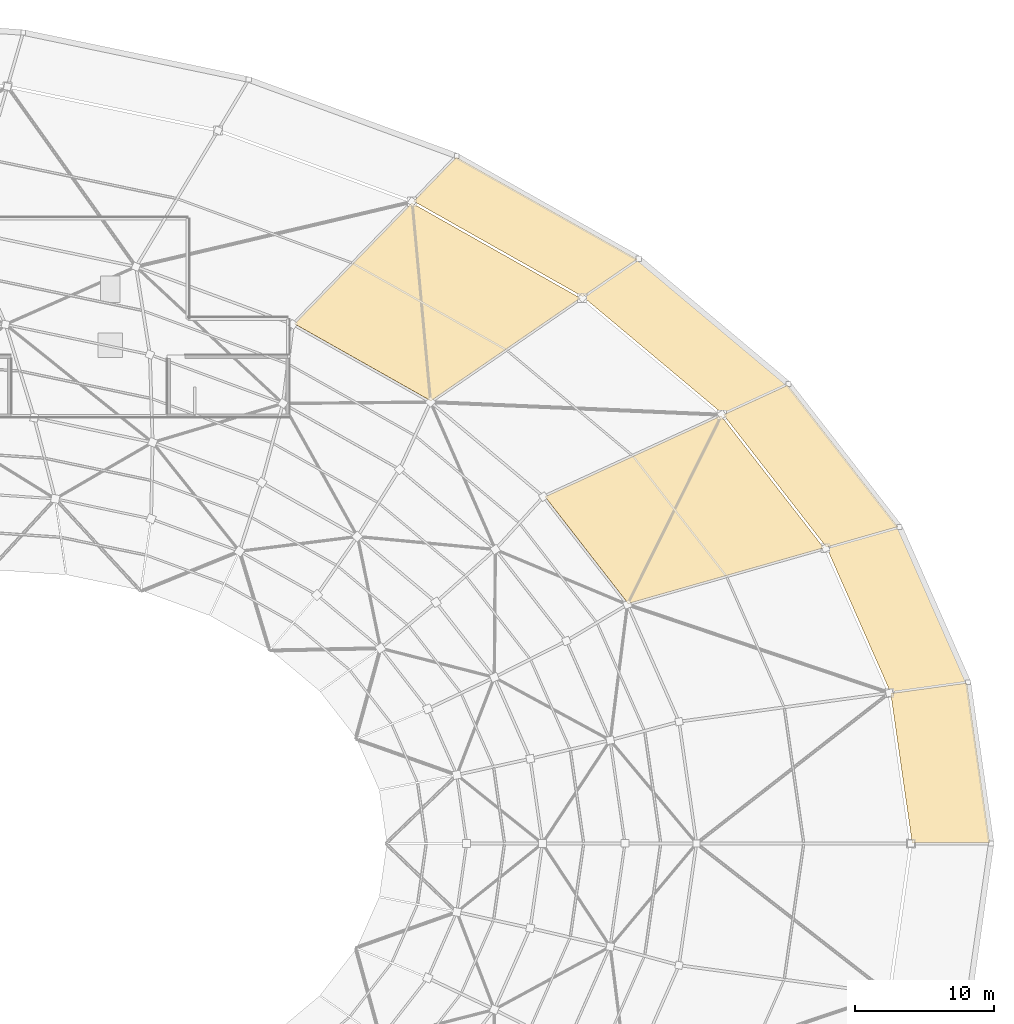
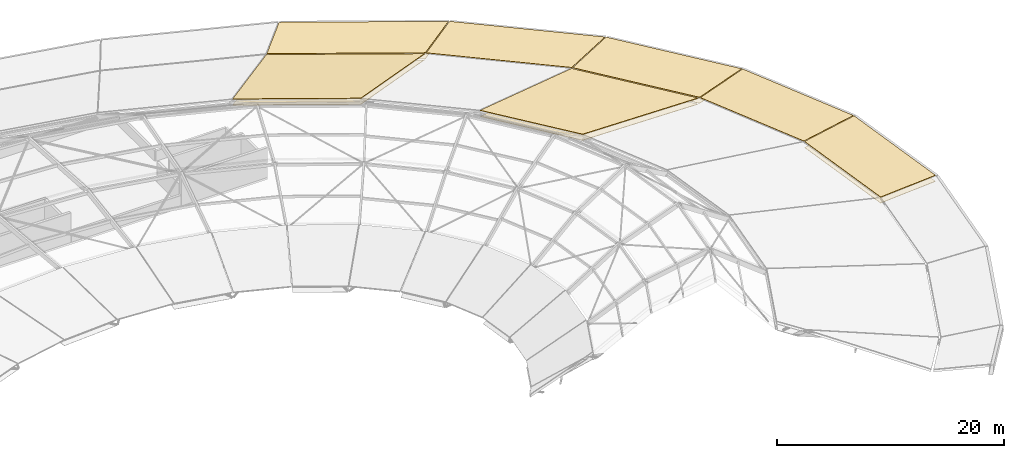
# One storey, part 30 of 30: 12 coverings.
"""IFC4 building model written with IfcOpenShell, lengths in metres."""

import ifcopenshell
import ifcopenshell.guid

model = None  # the IFC model being written
_history = None  # IfcOwnerHistory: only IFC2X3 demands one
_inside = {}  # id of a spatial element -> (the spatial element, [elements in it])
_under = {}  # id of a project, library or spatial element -> (it, [spatial elements below it])
_declared = {}  # id of a project -> (the project, [libraries it declares])
_typed = {}  # id of a type object -> (the type object, [elements of that type])
_made_of = {}  # id of a material, layer set ... -> (it, [elements and type objects made of it])


def new_model(schema):
    """Start an empty IFC model of exactly this schema.

    Asked for "IFC4X3", IfcOpenShell would pick the latest addendum, in which some entities
    have other attributes; the version numbers below select the first issue.
    IFC2X3 requires an IfcOwnerHistory on every rooted entity: one is made here for all.
    """
    global model, _history
    if schema == "IFC4X3":
        model = ifcopenshell.file(schema_version=(4, 3, 0, 0))
    else:
        model = ifcopenshell.file(schema=schema)
    _inside.clear()
    _under.clear()
    _declared.clear()
    _typed.clear()
    _made_of.clear()
    _history = None
    if model.schema == "IFC2X3":
        org = make("IfcOrganization", Name="unknown")
        user = make(
            "IfcPersonAndOrganization",
            ThePerson=make("IfcPerson", FamilyName="unknown"),
            TheOrganization=org,
        )
        app = make(
            "IfcApplication",
            ApplicationDeveloper=org,
            Version="unknown",
            ApplicationFullName="unknown",
            ApplicationIdentifier="unknown",
        )
        _history = make(
            "IfcOwnerHistory",
            OwningUser=user,
            OwningApplication=app,
            ChangeAction="ADDED",
            CreationDate=0,
        )
    return model


def make(cls, **values):
    """One entity of the class cls with the attributes given. An attribute that is None is left unset."""
    return model.create_entity(
        cls, **{name: value for name, value in values.items() if value is not None}
    )


def rooted(cls, **values):
    """An entity with a GlobalId (a new one), such as an element, a storey or a relation."""
    return make(cls, GlobalId=ifcopenshell.guid.new(), OwnerHistory=_history, **values)


def si_unit(unit_type, name, prefix=None):
    """IfcSIUnit, for example si_unit("LENGTHUNIT", "METRE", prefix="MILLI")."""
    return make("IfcSIUnit", UnitType=unit_type, Prefix=prefix, Name=name)


def assignment(units):
    """IfcUnitAssignment: the units of a project."""
    return None if units is None else make("IfcUnitAssignment", Units=units)


def point(xyz):
    """IfcCartesianPoint."""
    return None if xyz is None else make("IfcCartesianPoint", Coordinates=xyz)


def direction(xyz):
    """IfcDirection."""
    return None if xyz is None else make("IfcDirection", DirectionRatios=xyz)


def frame(location, z_axis=None, x_axis=None):
    """IfcAxis2Placement3D, a coordinate frame: its origin and axes. An axis left out is left unset."""
    return make(
        "IfcAxis2Placement3D",
        Location=point(location),
        Axis=direction(z_axis),
        RefDirection=direction(x_axis),
    )


def origin():
    """The frame at (0, 0, 0) with its axes left unset."""
    return frame((0.0, 0.0, 0.0))


def place(relative_to, where):
    """IfcLocalPlacement: puts the frame where relative to a parent placement (None: the world)."""
    return make(
        "IfcLocalPlacement", PlacementRelTo=relative_to, RelativePlacement=where
    )


def context(
    kind, dimensions, precision=None, world=None, true_north=None, identifier=None
):
    """IfcGeometricRepresentationContext, for example the 3D "Model" context."""
    return make(
        "IfcGeometricRepresentationContext",
        ContextIdentifier=identifier,
        ContextType=kind,
        CoordinateSpaceDimension=dimensions,
        Precision=precision,
        WorldCoordinateSystem=world,
        TrueNorth=true_north,
    )


def subcontext(parent, identifier, kind, view, scale=None):
    """IfcGeometricRepresentationSubContext, for example "Body" below "Model"."""
    return make(
        "IfcGeometricRepresentationSubContext",
        ContextIdentifier=identifier,
        ContextType=kind,
        ParentContext=parent,
        TargetScale=scale,
        TargetView=view,
    )


def project(units=None, contexts=None):
    """IfcProject with its units and contexts."""
    return rooted(
        "IfcProject",
        Name="project",
        RepresentationContexts=contexts,
        UnitsInContext=assignment(units),
    )


def spatial(cls, under=None, at=None, **own):
    """A site, building, storey or space (cls), placed at a placement, below another one or the project."""
    s = rooted(cls, ObjectPlacement=at, **own)
    if under is not None:
        _under.setdefault(under.id(), (under, []))[1].append(s)
    return s


def polyline(points):
    """IfcPolyline through the points."""
    return make("IfcPolyline", Points=[point(p) for p in points])


def outline(outer, holes=None, kind="AREA"):
    """IfcArbitraryClosedProfileDef: a profile drawn as a closed curve; with holes, ...WithVoids."""
    if holes is None:
        return make("IfcArbitraryClosedProfileDef", ProfileType=kind, OuterCurve=outer)
    return make(
        "IfcArbitraryProfileDefWithVoids",
        ProfileType=kind,
        OuterCurve=outer,
        InnerCurves=holes,
    )


def extrude(swept, where, along, depth):
    """IfcExtrudedAreaSolid: the profile swept, set in the frame where, extruded along a direction by depth."""
    return make(
        "IfcExtrudedAreaSolid",
        SweptArea=swept,
        Position=where,
        ExtrudedDirection=direction(along),
        Depth=depth,
    )


def shape(context_of_items, identifier, shape_type, items):
    """IfcShapeRepresentation: the items that make up one representation, for example the "Body"."""
    return make(
        "IfcShapeRepresentation",
        ContextOfItems=context_of_items,
        RepresentationIdentifier=identifier,
        RepresentationType=shape_type,
        Items=items,
    )


def material(Name=None, Category=None):
    """IfcMaterial."""
    return make("IfcMaterial", Name=Name, Category=Category)


def layer(
    of_material, thickness, ventilated=None, Name=None, Category=None, Priority=None
):
    """IfcMaterialLayer: one layer of a wall or slab, of a material (None: an air gap)."""
    return make(
        "IfcMaterialLayer",
        Material=of_material,
        LayerThickness=thickness,
        IsVentilated=ventilated,
        Name=Name,
        Category=Category,
        Priority=Priority,
    )


def layer_set(layers, Name=None):
    """IfcMaterialLayerSet."""
    return make("IfcMaterialLayerSet", MaterialLayers=layers, LayerSetName=Name)


def made_of(thing, what):
    """Note that an element or type object is made of a material, layer set ...; save() writes the relation."""
    if what is not None:
        _made_of.setdefault(what.id(), (what, []))[1].append(thing)
    return thing


def type_object(cls, material=None, **own):
    """A type object (cls), such as IfcWallType, which elements share."""
    return made_of(rooted(cls, **own), material)


def element(
    cls,
    number,
    at=None,
    inside=None,
    cuts=None,
    type_object=None,
    material=None,
    context=None,
    identifier="Body",
    shape_type=None,
    held_by="IfcProductDefinitionShape",
    body=None,
    shapes=None,
    **own,
):
    """One element of the class cls, such as IfcWall. Its Tag is "e" and its number.

    at: its placement. inside: the storey or other place that contains it. cuts: it is an
    opening in that element (IfcRelVoidsElement). A single representation is given by context,
    identifier, shape_type and body (its items); several are given by shapes. held_by: the class
    of the entity that holds the representations. save() writes the other relations.
    """
    e = rooted(cls, Tag="e%d" % number, ObjectPlacement=at, **own)
    if body is not None:
        shapes = [shape(context, identifier, shape_type, body)]
    if shapes is not None:
        e.Representation = make(held_by, Representations=shapes)
    if inside is not None:
        _inside.setdefault(inside.id(), (inside, []))[1].append(e)
    if cuts is not None:
        rooted(
            "IfcRelVoidsElement", RelatingBuildingElement=cuts, RelatedOpeningElement=e
        )
    if type_object is not None:
        _typed.setdefault(type_object.id(), (type_object, []))[1].append(e)
    return made_of(e, material)


def aggregate(whole, parts):
    """IfcRelAggregates: a whole, such as a stair, and the parts it consists of."""
    return rooted("IfcRelAggregates", RelatingObject=whole, RelatedObjects=parts)


def save(model, path):
    """Write the relations noted so far, then the file.

    IfcRelAggregates (storeys below a building ...), IfcRelContainedInSpatialStructure (elements
    in a storey), IfcRelDefinesByType, IfcRelAssociatesMaterial and IfcRelDeclares: one each for
    every whole, place, type object, material and project.
    """
    for whole, parts in _under.values():
        aggregate(whole, parts)
    for where, things in _inside.values():
        rooted(
            "IfcRelContainedInSpatialStructure",
            RelatedElements=things,
            RelatingStructure=where,
        )
    for kind, things in _typed.values():
        rooted("IfcRelDefinesByType", RelatedObjects=things, RelatingType=kind)
    for what, things in _made_of.values():
        rooted("IfcRelAssociatesMaterial", RelatedObjects=things, RelatingMaterial=what)
    for by, libraries in _declared.values():
        rooted("IfcRelDeclares", RelatingContext=by, RelatedDefinitions=libraries)
    model.write(path)


model = new_model("IFC4")

# Units and contexts
model_context = context("Model", 3, precision=1e-05, world=origin(), true_north=direction((0.0, 1.0)))
body_context = subcontext(model_context, "Body", "Model", "MODEL_VIEW")
ifc_project = project(units=[si_unit("LENGTHUNIT", "METRE"), si_unit("AREAUNIT", "SQUARE_METRE"), si_unit("VOLUMEUNIT", "CUBIC_METRE"), si_unit("PLANEANGLEUNIT", "RADIAN"), si_unit("MASSUNIT", "GRAM", prefix="KILO")], contexts=[model_context])

# Site, building, storey
site_placement = place(None, origin())
site = spatial("IfcSite", under=ifc_project, at=site_placement, CompositionType="ELEMENT")
building_placement = place(site_placement, origin())
building = spatial("IfcBuilding", under=site, at=building_placement, Name="Namkhue Oval Health Centre", CompositionType="ELEMENT")
storey_placement = place(building_placement, frame((0.0, 0.0, 26.39990234375)))
storey = spatial("IfcBuildingStorey", under=building, at=storey_placement, Name="RF", CompositionType="ELEMENT", Elevation=26.39990234375)

# Coverings
ifc_material_1 = material(Name="Slatted FSC timber acoustic soffit lining", Category="wood")
ifc_layer_1 = layer(ifc_material_1, 0.0400390625)
ifc_layer_set_1 = layer_set([ifc_layer_1], Name="Slatted FSC timber acoustic soffit lining")
covering_type_1 = type_object("IfcCoveringType", Name="SLATTED TIMBER SOFFIT CEILING 40", PredefinedType="CEILING", material=ifc_layer_set_1)
covering_1_placement = place(storey_placement, frame((172.703369140625, 59.44189453125, 0.493896484375), z_axis=(-0.069282472484, -0.00992574886, 0.997547702376), x_axis=(-0.141815844053, 0.98989305805, 7.777e-08)))
element("IfcCovering", 1, at=covering_1_placement, inside=storey, type_object=covering_type_1, Name="Gridshell Canopy Slatted Timber Soffit K0-1", PredefinedType="CEILING", context=body_context, shape_type="SweptSolid", body=[
    extrude(outline(polyline([(0.0, 0.0), (11.610017545639138, 2.220446049250313e-16), (11.645225684002654, 5.535831029326302), (0.7911357209959445, 5.535806068070812), (0.0, 0.0)])), origin(), (0.0, 0.0, -1.0), 0.0400390625),
])
covering_2_placement = place(storey_placement, frame((166.102294921875, 82.140625, 0.4931640625), z_axis=(-0.06135071917, -0.047698148045, 0.996975915421), x_axis=(-0.613788661906, 0.789470378491, -1.01142e-07)))
element("IfcCovering", 2, at=covering_2_placement, inside=storey, type_object=covering_type_1, Name="Gridshell Canopy Slatted Timber Soffit K0-3", PredefinedType="CEILING", context=body_context, shape_type="SweptSolid", body=[
    extrude(outline(polyline([(0.0, 0.0), (12.904530024973468, -8.881784197001252e-16), (14.065271945650283, 4.966917437964637), (1.9975871816261366, 4.966949939526581), (0.0, 0.0)])), origin(), (0.0, 0.0, -1.0), 0.0400390625),
])
covering_3_placement = place(storey_placement, frame((147.37109375, 101.36865234375, 0.491943359375), z_axis=(-0.044082287911, -0.078130329397, 0.995968073545), x_axis=(-0.870939486541, 0.491390283566, -5.22588e-07)))
element("IfcCovering", 3, at=covering_3_placement, inside=storey, type_object=covering_type_1, Name="Gridshell Canopy Slatted Timber Soffit K0-5", PredefinedType="CEILING", context=body_context, shape_type="SweptSolid", body=[
    extrude(outline(polyline([(0.0, 0.0), (14.92248530113261, 8.881784197001252e-16), (16.044337018252133, 4.278090915361626), (2.0835298365099213, 4.278259172458242), (0.0, 0.0)])), origin(), (0.0, 0.0, -1.0), 0.0400390625),
])
covering_4_placement = place(storey_placement, frame((160.783447265625, 80.625732421875, 0.122314453125), z_axis=(0.195064944908, 0.151653801848, 0.968994732521), x_axis=(-0.613781870865, 0.789475658268, 3.52719e-07)))
element("IfcCovering", 4, at=covering_4_placement, inside=storey, type_object=covering_type_1, Name="Gridshell Canopy Slatted Timber Soffit K1-3", PredefinedType="CEILING", context=body_context, shape_type="SweptSolid", body=[
    extrude(outline(polyline([(0.0, 0.0), (12.037942746398443, 1.7763568394002505e-15), (15.214233021555838, 13.985517807089472), (5.4665765880411366, 13.985548906937982), (0.0, 0.0)])), origin(), (0.0, 0.0, -1.0), 0.0400390625),
])
covering_5_placement = place(storey_placement, frame((143.301513671875, 98.5703125, 0.12548828125), z_axis=(0.138902518035, 0.246184750293, 0.95921799358), x_axis=(-0.870933695301, 0.491400547811, -4.56453e-07)))
element("IfcCovering", 5, at=covering_5_placement, inside=storey, type_object=covering_type_1, Name="Gridshell Canopy Slatted Timber Soffit K1-5", PredefinedType="CEILING", context=body_context, shape_type="SweptSolid", body=[
    extrude(outline(polyline([(0.0, 0.0), (13.921561245105195, 0.0), (17.00337112040259, 12.202422015107608), (5.723855332199695, 12.202381320271192), (0.0, 0.0)])), origin(), (0.0, 0.0, -1.0), 0.0400390625),
])
ifc_material_2 = material(Name="Standing-seam aluminium-zinc insulated roofing", Category="aluminium")
ifc_layer_2 = layer(ifc_material_2, 0.044921875)
ifc_layer_set_2 = layer_set([ifc_layer_2], Name="Standing-seam aluminium-zinc insulated roofing")
covering_type_2 = type_object("IfcCoveringType", Name="STANDING SEAM ROOFING 45", PredefinedType="ROOFING", material=ifc_layer_set_2)
covering_6_placement = place(storey_placement, frame((172.703369140625, 59.44189453125, 1.140869140625), z_axis=(-0.069282472484, -0.00992574886, 0.997547702376), x_axis=(-0.141815844053, 0.98989305805, 7.777e-08)))
element("IfcCovering", 6, at=covering_6_placement, inside=storey, type_object=covering_type_2, Name="Elliptical Gridshell Standing Seam Roofing K0-1", PredefinedType="ROOFING", context=body_context, shape_type="SweptSolid", body=[
    extrude(outline(polyline([(0.0, 0.0), (11.610017545639138, 2.220446049250313e-16), (11.645225684002654, 5.535831029326302), (0.7911357209959445, 5.535806068070812), (0.0, 0.0)])), origin(), (0.0, 0.0, -1.0), 0.044921875),
])
covering_7_placement = place(storey_placement, frame((171.02978515625, 71.015625, 1.140625), z_axis=(-0.066609083149, -0.029390363515, 0.997346196952), x_axis=(-0.403689942326, 0.914895857715, -2.95884e-07)))
element("IfcCovering", 7, at=covering_7_placement, inside=storey, type_object=covering_type_2, Name="Elliptical Gridshell Standing Seam Roofing K0-2", PredefinedType="ROOFING", context=body_context, shape_type="SweptSolid", body=[
    extrude(outline(polyline([(0.0, 0.0), (12.080332538265788, 0.0), (12.817139372572461, 5.315009492954525), (1.5221905609516482, 5.315104491500168), (0.0, 0.0)])), origin(), (0.0, 0.0, -1.0), 0.044921875),
])
covering_8_placement = place(storey_placement, frame((166.102294921875, 82.140625, 1.14013671875), z_axis=(-0.06135071917, -0.047698148045, 0.996975915421), x_axis=(-0.613788661906, 0.789470378491, -1.01142e-07)))
element("IfcCovering", 8, at=covering_8_placement, inside=storey, type_object=covering_type_2, Name="Elliptical Gridshell Standing Seam Roofing K0-3", PredefinedType="ROOFING", context=body_context, shape_type="SweptSolid", body=[
    extrude(outline(polyline([(0.0, 0.0), (12.904530024973468, -8.881784197001252e-16), (14.065271945650283, 4.966917437964637), (1.9975871816261366, 4.966949939526581), (0.0, 0.0)])), origin(), (0.0, 0.0, -1.0), 0.044921875),
])
covering_9_placement = place(storey_placement, frame((158.11328125, 92.38916015625, 1.1396484375), z_axis=(-0.053762049906, -0.064176131317, 0.996489370821), x_axis=(-0.766561354037, 0.642171075724, 1.46024e-07)))
element("IfcCovering", 9, at=covering_9_placement, inside=storey, type_object=covering_type_2, Name="Elliptical Gridshell Standing Seam Roofing K0-4", PredefinedType="ROOFING", context=body_context, shape_type="SweptSolid", body=[
    extrude(outline(polyline([(0.0, 0.0), (13.909646905209451, 8.881784197001252e-16), (15.183595004228799, 4.598839639126923), (2.1733978131219476, 4.5987926852561625), (0.0, 0.0)])), origin(), (0.0, 0.0, -1.0), 0.044921875),
])
covering_10_placement = place(storey_placement, frame((147.37109375, 101.36865234375, 1.138916015625), z_axis=(-0.044082287911, -0.078130329397, 0.995968073545), x_axis=(-0.870939486541, 0.491390283566, -5.22588e-07)))
element("IfcCovering", 10, at=covering_10_placement, inside=storey, type_object=covering_type_2, Name="Elliptical Gridshell Standing Seam Roofing K0-5", PredefinedType="ROOFING", context=body_context, shape_type="SweptSolid", body=[
    extrude(outline(polyline([(0.0, 0.0), (14.92248530113261, 8.881784197001252e-16), (16.044337018252133, 4.278090915361626), (2.0835298365099213, 4.278259172458242), (0.0, 0.0)])), origin(), (0.0, 0.0, -1.0), 0.044921875),
])
covering_11_placement = place(storey_placement, frame((160.783447265625, 80.625732421875, 0.7744140625), z_axis=(0.195052004568, 0.151643741344, 0.96899891188), x_axis=(-0.613781870874, 0.78947565826, 3.52697e-07)))
element("IfcCovering", 11, at=covering_11_placement, inside=storey, type_object=covering_type_2, Name="Elliptical Gridshell Standing Seam Roofing K1-3", PredefinedType="ROOFING", context=body_context, shape_type="SweptSolid", body=[
    extrude(outline(polyline([(0.0, 0.0), (12.037942746398443, 8.881784197001252e-16), (15.214233021555836, 13.985457486394113), (5.4665765880411366, 13.985488586376757), (0.0, 0.0)])), origin(), (0.0, 0.0, -1.0), 0.044921875),
])
covering_12_placement = place(storey_placement, frame((143.301513671875, 98.5703125, 0.777587890625), z_axis=(0.138893471802, 0.246168717146, 0.959223418287), x_axis=(-0.870933695293, 0.491400547826, -4.56426e-07)))
element("IfcCovering", 12, at=covering_12_placement, inside=storey, type_object=covering_type_2, Name="Elliptical Gridshell Standing Seam Roofing K1-5", PredefinedType="ROOFING", context=body_context, shape_type="SweptSolid", body=[
    extrude(outline(polyline([(0.0, 0.0), (13.921561245105199, 8.881784197001252e-16), (17.00337112040259, 12.202353006922262), (5.7238553321996966, 12.2023123118557), (0.0, 0.0)])), origin(), (0.0, 0.0, -1.0), 0.044921875),
])

save(model, "model.ifc")
